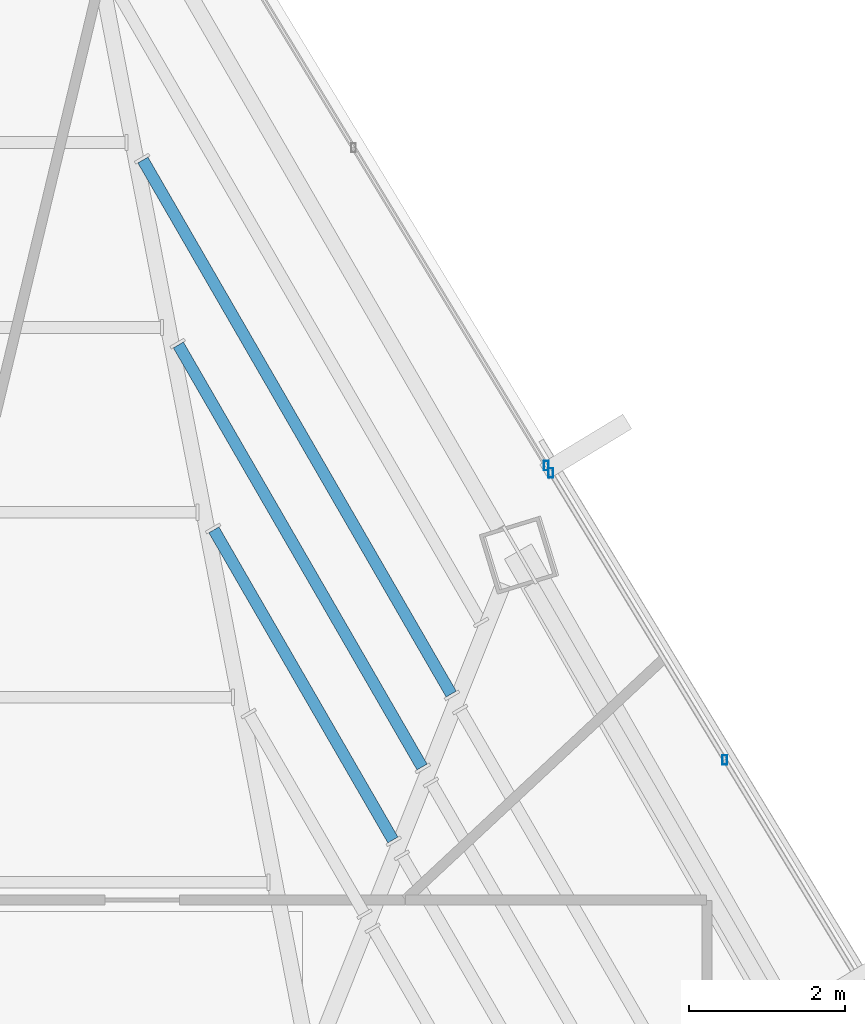
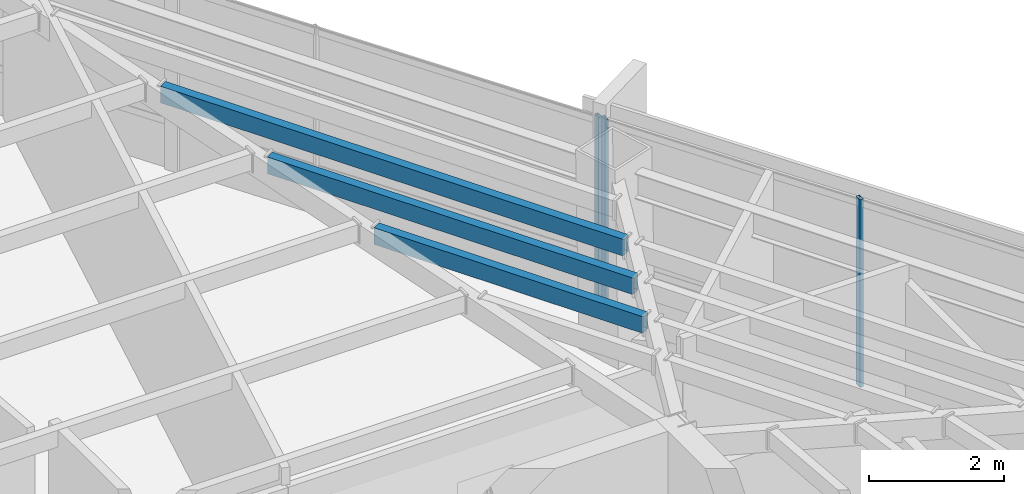
# One storey, part 30 of 49: 3 beams, 3 members, 2 elements without a shape of their own.
"""IFC4 building model written with IfcOpenShell, lengths in metres."""

from ifc_helpers import new_model, si_unit, direction, frame, origin, origin_2d, place, context, subcontext, project, spatial, hollow_rectangle, extrude, source, transform, mapped, material, material_profile, profile_set, type_object, type_shapes, element, aggregate, save


model = new_model("IFC4")

# Units and contexts
model_context = context("Model", 3, precision=1e-05, world=origin(), true_north=direction((0.0, 1.0)))
body_context = subcontext(model_context, "Body", "Model", "MODEL_VIEW")
ifc_project = project(units=[si_unit("LENGTHUNIT", "METRE"), si_unit("AREAUNIT", "SQUARE_METRE"), si_unit("VOLUMEUNIT", "CUBIC_METRE"), si_unit("PLANEANGLEUNIT", "RADIAN"), si_unit("MASSUNIT", "GRAM", prefix="KILO")], contexts=[model_context])

# Site, building, storey
site_placement = place(None, origin())
site = spatial("IfcSite", under=ifc_project, at=site_placement, CompositionType="ELEMENT")
building_placement = place(site_placement, origin())
building = spatial("IfcBuilding", under=site, at=building_placement, Name="Caelisora Broadcast Tower", CompositionType="ELEMENT")
storey_placement = place(building_placement, frame((0.0, 0.0, 233.5)))
storey = spatial("IfcBuildingStorey", under=building, at=storey_placement, Name="L61", CompositionType="ELEMENT", Elevation=233.5)

# Beams
ifc_material_1 = material(Name="Steel Grade 350 (AS/NZS 1163 C350L0)", Category="steel")
ifc_material_profile_1 = material_profile(ifc_material_1, hollow_rectangle(XDim=0.14990234375, YDim=0.300048828125, WallThickness=0.010009765625, at=origin_2d()), Name="Steel Grade 350 (AS/NZS 1163 C350L0)")
ifc_profile_set_1 = profile_set([ifc_material_profile_1], Name="Steel Grade 350 (AS/NZS 1163 C350L0)")
beam_type = type_object("IfcBeamType", Name="SB05", PredefinedType="JOIST", material=ifc_profile_set_1)
shared_shape_1 = source(origin(), body_context, "Body", "SweptSolid", [
    extrude(hollow_rectangle(XDim=0.14990234375, YDim=0.300048828125, WallThickness=0.010009765625, at=origin_2d()), origin(), (0.0, 0.0, 1.0), 4.602783203125),
])
beam_1_placement = place(storey_placement, frame((46.5625, 32.92041015625, 3.25), z_axis=(-0.499984172718, 0.866034541477, 0.0), x_axis=(-0.866034541477, -0.499984172718, 0.0)))
element("IfcBeam", 1, at=beam_1_placement, inside=storey, type_object=beam_type, Name="L61 beam SB05", PredefinedType="JOIST", context=body_context, shape_type="MappedRepresentation", body=[
    mapped(shared_shape_1, transform((0.0, 0.0, 0.0), scale=1.0)),
])
shared_shape_2 = source(origin(), body_context, "Body", "SweptSolid", [
    extrude(hollow_rectangle(XDim=0.14990234375, YDim=0.300048828125, WallThickness=0.010009765625, at=origin_2d()), origin(), (0.0, 0.0, 1.0), 6.264892578125),
])
beam_2_placement = place(storey_placement, frame((46.937255859375, 33.858154296875, 3.25), z_axis=(-0.500015927702, 0.866016207726, 0.0), x_axis=(-0.866016207726, -0.500015927702, 0.0)))
element("IfcBeam", 2, at=beam_2_placement, inside=storey, type_object=beam_type, Name="L61 beam SB05", PredefinedType="JOIST", context=body_context, shape_type="MappedRepresentation", body=[
    mapped(shared_shape_2, transform((0.0, 0.0, 0.0), scale=1.0)),
])
shared_shape_3 = source(origin(), body_context, "Body", "SweptSolid", [
    extrude(hollow_rectangle(XDim=0.14990234375, YDim=0.300048828125, WallThickness=0.010009765625, at=origin_2d()), origin(), (0.0, 0.0, 1.0), 7.927001953125),
])
type_shapes(beam_type, [shared_shape_1, shared_shape_2, shared_shape_3])
beam_3_placement = place(storey_placement, frame((47.31201171875, 34.7958984375, 3.25), z_axis=(-0.500011267088, 0.86601889863, 0.0), x_axis=(-0.86601889863, -0.500011267088, 0.0)))
element("IfcBeam", 3, at=beam_3_placement, inside=storey, type_object=beam_type, Name="L61 beam SB05", PredefinedType="JOIST", context=body_context, shape_type="MappedRepresentation", body=[
    mapped(shared_shape_3, transform((0.0, 0.0, 0.0), scale=1.0)),
])

# Curtain wall, member
ifc_material_2 = material(Name="Unitised Aluminium and Low-E Glass Curtain Wall", Category="glass")
curtain_wall_type_1 = type_object("IfcCurtainWallType", Name="CW-Z5", PredefinedType="NOTDEFINED", material=ifc_material_2)
curtain_wall_1_placement = place(storey_placement, origin())
curtain_wall_1 = element("IfcCurtainWall", 4, at=curtain_wall_1_placement, inside=storey, type_object=curtain_wall_type_1, Name="L61 curtain wall CW-Z5", PredefinedType="NOTDEFINED")
ifc_material_3 = material(Name="Aluminium 6063-T6 Anodised Terracotta Bronze", Category="aluminium")
ifc_material_profile_2 = material_profile(ifc_material_3, hollow_rectangle(XDim=0.06005859375, YDim=0.1201171875, WallThickness=0.0029296875, at=origin_2d()), Name="Aluminium 6063-T6 Anodised Terracotta Bronze")
ifc_profile_set_2 = profile_set([ifc_material_profile_2], Name="Aluminium 6063-T6 Anodised Terracotta Bronze")
member_type = type_object("IfcMemberType", Name="CWM-04", PredefinedType="MULLION", material=ifc_profile_set_2)
shared_shape_4 = source(origin(), body_context, "Body", "SweptSolid", [
    extrude(hollow_rectangle(XDim=0.06005859375, YDim=0.1201171875, WallThickness=0.0029296875, at=origin_2d()), origin(), (0.0, 0.0, 1.0), 3.39990234375),
])
type_shapes(member_type, [shared_shape_4])
member_1_placement = place(storey_placement, frame((48.534423828125, 37.732666015625, 0.0), z_axis=(0.0, 0.0, 1.0), x_axis=(1.0, 0.0, 0.0)))
member_1 = element("IfcMember", 5, at=member_1_placement, type_object=member_type, Name="L61-CW-B01 mullion #3", PredefinedType="MULLION", context=body_context, shape_type="MappedRepresentation", body=[
    mapped(shared_shape_4, transform((0.0, 0.0, 0.0), scale=1.0)),
])
aggregate(curtain_wall_1, [member_1])

# Curtain wall, members
ifc_material_4 = material(Name="Unitised Aluminium Insulated Shadow-Box Spandrel Curtain Wall", Category="aluminium")
curtain_wall_type_2 = type_object("IfcCurtainWallType", Name="CW-SP3", PredefinedType="NOTDEFINED", material=ifc_material_4)
curtain_wall_2_placement = place(storey_placement, origin())
curtain_wall_2 = element("IfcCurtainWall", 6, at=curtain_wall_2_placement, inside=storey, type_object=curtain_wall_type_2, Name="L61 curtain wall CW-SP3", PredefinedType="NOTDEFINED")
member_2_placement = place(storey_placement, frame((48.591552734375, 37.638671875, 0.0), z_axis=(0.0, 0.0, 1.0), x_axis=(1.0, 0.0, 0.0)))
member_2 = element("IfcMember", 7, at=member_2_placement, type_object=member_type, Name="L61-CW-B02 mullion #0", PredefinedType="MULLION", context=body_context, shape_type="MappedRepresentation", body=[
    mapped(shared_shape_4, transform((0.0, 0.0, 0.0), scale=1.0)),
])
member_3_placement = place(storey_placement, frame((50.828125, 33.9501953125, 0.0), z_axis=(0.0, 0.0, 1.0), x_axis=(1.0, 0.0, 0.0)))
member_3 = element("IfcMember", 8, at=member_3_placement, type_object=member_type, Name="L61-CW-B02 mullion #1", PredefinedType="MULLION", context=body_context, shape_type="MappedRepresentation", body=[
    mapped(shared_shape_4, transform((0.0, 0.0, 0.0), scale=1.0)),
])
aggregate(curtain_wall_2, [member_2, member_3])

save(model, "model.ifc")
